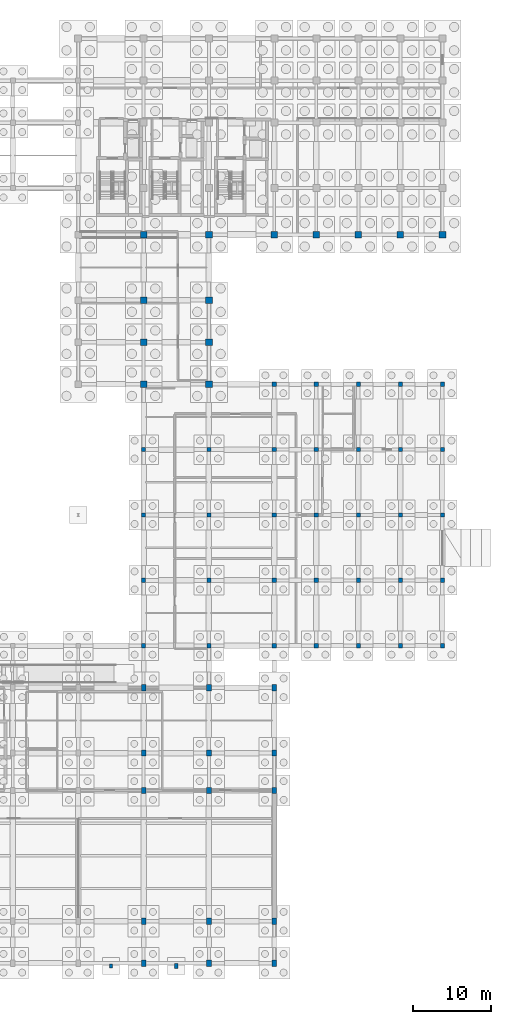
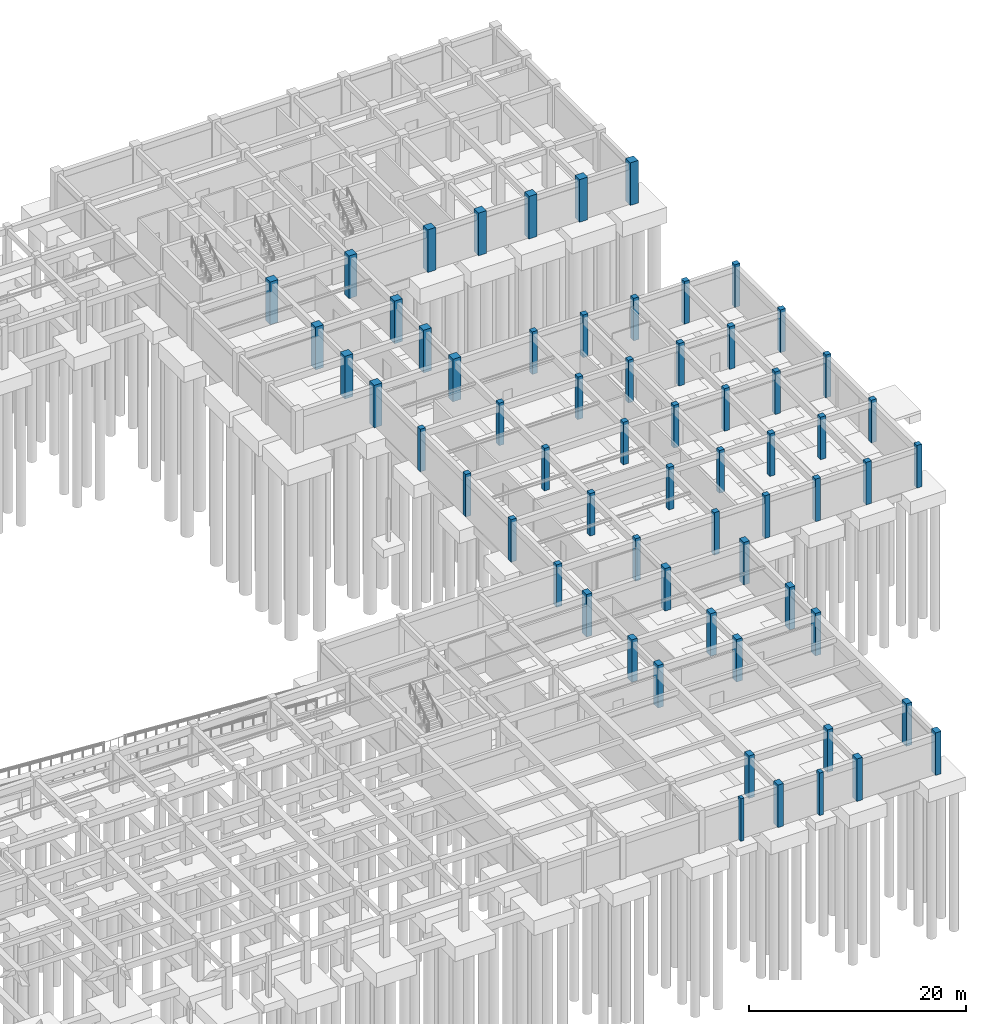
# One storey, part 24 of 49: 63 columns.
"""IFC4 building model written with IfcOpenShell, lengths in metres."""

from ifc_helpers import new_model, si_unit, direction, frame, origin, origin_2d, place, context, subcontext, project, spatial, rectangle, extrude, material, material_profile, profile_set, type_object, element, save


model = new_model("IFC4")

# Units and contexts
model_context = context("Model", 3, precision=1e-05, world=origin(), true_north=direction((0.0, 1.0)))
body_context = subcontext(model_context, "Body", "Model", "MODEL_VIEW")
ifc_project = project(units=[si_unit("LENGTHUNIT", "METRE"), si_unit("AREAUNIT", "SQUARE_METRE"), si_unit("VOLUMEUNIT", "CUBIC_METRE"), si_unit("PLANEANGLEUNIT", "RADIAN"), si_unit("MASSUNIT", "GRAM", prefix="KILO")], contexts=[model_context])

# Site, building, storey
site_placement = place(None, origin())
site = spatial("IfcSite", under=ifc_project, at=site_placement, CompositionType="ELEMENT")
building_placement = place(site_placement, origin())
building = spatial("IfcBuilding", under=site, at=building_placement, Name="Krzemoval Escarpment Law Courts", CompositionType="ELEMENT")
storey_placement = place(building_placement, frame((0.0, 0.0, -4.800048828125)))
storey = spatial("IfcBuildingStorey", under=building, at=storey_placement, Name="B1", CompositionType="ELEMENT", Elevation=-4.800048828125)

# Columns
ifc_material_1 = material(Name="Concrete C40/50", Category="concrete")
ifc_material_profile_1 = material_profile(ifc_material_1, rectangle(XDim=0.550048828125, YDim=0.550048828125, at=origin_2d()), Name="RC 550x550")
ifc_profile_set_1 = profile_set([ifc_material_profile_1], Name="Concrete C40/50")
column_type_1 = type_object("IfcColumnType", Name="COL-RC-550", PredefinedType="COLUMN", material=ifc_profile_set_1)
for number, where, z_axis, x_axis, name in (
    (1, (134.39990234375, 40.800048828125, 0.0), (0.0, 0.0, 1.0), (1.0, 0.0, 0.0), "Column FC-B1-0188"),
    (2, (134.39990234375, 49.199951171875, 0.0), (0.0, 0.0, 1.0), (1.0, 0.0, 0.0), "Column FC-B1-0189"),
    (3, (134.39990234375, 57.60009765625, 0.0), (0.0, 0.0, 1.0), (1.0, 0.0, 0.0), "Column FC-B1-0190"),
    (4, (134.39990234375, 66.0, 0.0), (0.0, 0.0, 1.0), (1.0, 0.0, 0.0), "Column FC-B1-0191"),
    (5, (142.800048828125, 40.800048828125, 0.0), (0.0, 0.0, 1.0), (1.0, 0.0, 0.0), "Column FC-B1-0205"),
    (6, (142.800048828125, 49.199951171875, 0.0), (0.0, 0.0, 1.0), (1.0, 0.0, 0.0), "Column FC-B1-0206"),
    (7, (142.800048828125, 57.60009765625, 0.0), (0.0, 0.0, 1.0), (1.0, 0.0, 0.0), "Column FC-B1-0207"),
    (8, (142.800048828125, 66.0, 0.0), (0.0, 0.0, 1.0), (1.0, 0.0, 0.0), "Column FC-B1-0208"),
    (9, (151.199951171875, 40.800048828125, 0.0), (0.0, 0.0, 1.0), (1.0, 0.0, 0.0), "Column FC-B1-0222"),
    (10, (151.199951171875, 49.199951171875, 0.0), (0.0, 0.0, 1.0), (1.0, 0.0, 0.0), "Column FC-B1-0223"),
    (11, (151.199951171875, 57.60009765625, 0.0), (0.0, 0.0, 1.0), (1.0, 0.0, 0.0), "Column FC-B1-0224"),
    (12, (151.199951171875, 66.0, 0.0), (0.0, 0.0, 1.0), (1.0, 0.0, 0.0), "Column FC-B1-0225"),
    (13, (151.199951171875, 74.39990234375, 0.0), (0.0, 0.0, 1.0), (1.0, 0.0, 0.0), "Column FC-B1-0226"),
    (14, (156.60009765625, 40.800048828125, 0.0), (0.0, 0.0, 1.0), (1.0, 0.0, 0.0), "Column FC-B1-0232"),
    (15, (156.60009765625, 49.199951171875, 0.0), (0.0, 0.0, 1.0), (1.0, 0.0, 0.0), "Column FC-B1-0233"),
    (16, (156.60009765625, 57.60009765625, 0.0), (0.0, 0.0, 1.0), (1.0, 0.0, 0.0), "Column FC-B1-0234"),
    (17, (156.60009765625, 66.0, 0.0), (0.0, 0.0, 1.0), (1.0, 0.0, 0.0), "Column FC-B1-0235"),
    (18, (156.60009765625, 74.39990234375, 0.0), (0.0, 0.0, 1.0), (1.0, 0.0, 0.0), "Column FC-B1-0236"),
    (19, (162.0, 40.800048828125, 0.0), (0.0, 0.0, 1.0), (1.0, 0.0, 0.0), "Column FC-B1-0242"),
    (20, (162.0, 49.199951171875, 0.0), (0.0, 0.0, 1.0), (1.0, 0.0, 0.0), "Column FC-B1-0243"),
    (21, (162.0, 57.60009765625, 0.0), (0.0, 0.0, 1.0), (1.0, 0.0, 0.0), "Column FC-B1-0244"),
    (22, (162.0, 66.0, 0.0), (0.0, 0.0, 1.0), (1.0, 0.0, 0.0), "Column FC-B1-0245"),
    (23, (162.0, 74.39990234375, 0.0), (0.0, 0.0, 1.0), (1.0, 0.0, 0.0), "Column FC-B1-0246"),
    (24, (167.39990234375, 40.800048828125, 0.0), (0.0, 0.0, 1.0), (1.0, 0.0, 0.0), "Column FC-B1-0252"),
    (25, (167.39990234375, 49.199951171875, 0.0), (0.0, 0.0, 1.0), (1.0, 0.0, 0.0), "Column FC-B1-0253"),
    (26, (167.39990234375, 57.60009765625, 0.0), (0.0, 0.0, 1.0), (1.0, 0.0, 0.0), "Column FC-B1-0254"),
    (27, (167.39990234375, 66.0, 0.0), (0.0, 0.0, 1.0), (1.0, 0.0, 0.0), "Column FC-B1-0255"),
    (28, (167.39990234375, 74.39990234375, 0.0), (0.0, 0.0, 1.0), (1.0, 0.0, 0.0), "Column FC-B1-0256"),
    (29, (172.800048828125, 40.800048828125, 0.0), (0.0, 0.0, 1.0), (1.0, 0.0, 0.0), "Column FC-B1-0262"),
    (30, (172.800048828125, 49.199951171875, 0.0), (0.0, 0.0, 1.0), (1.0, 0.0, 0.0), "Column FC-B1-0263"),
    (31, (172.800048828125, 57.60009765625, 0.0), (0.0, 0.0, 1.0), (1.0, 0.0, 0.0), "Column FC-B1-0264"),
    (32, (172.800048828125, 66.0, 0.0), (0.0, 0.0, 1.0), (1.0, 0.0, 0.0), "Column FC-B1-0265"),
    (33, (172.800048828125, 74.39990234375, 0.0), (0.0, 0.0, 1.0), (1.0, 0.0, 0.0), "Column FC-B1-0266"),
):
    element("IfcColumn", number, at=place(storey_placement, frame(where, z_axis=z_axis, x_axis=x_axis)), inside=storey, type_object=column_type_1, Name=name, PredefinedType="COLUMN", context=body_context, shape_type="SweptSolid", body=[
        extrude(rectangle(XDim=0.550048828125, YDim=0.550048828125, at=origin_2d()), origin(), (0.0, 0.0, 1.0), 4.800048828125),
    ])
ifc_material_2 = material(Name="Concrete C40/50", Category="concrete")
ifc_material_profile_2 = material_profile(ifc_material_2, rectangle(XDim=0.60009765625, YDim=0.800048828125, at=origin_2d()), Name="RC 600x800")
ifc_profile_set_2 = profile_set([ifc_material_profile_2], Name="Concrete C40/50")
column_type_2 = type_object("IfcColumnType", Name="COL-RC-600x800", PredefinedType="COLUMN", material=ifc_profile_set_2)
for number, where, z_axis, x_axis, name in (
    (34, (134.39990234375, 0.0, 0.0), (0.0, 0.0, 1.0), (1.0, 0.0, 0.0), "Column FC-B1-0183"),
    (35, (134.39990234375, 5.39990234375, 0.0), (0.0, 0.0, 1.0), (1.0, 0.0, 0.0), "Column FC-B1-0184"),
    (36, (134.39990234375, 22.199951171875, 0.0), (0.0, 0.0, 1.0), (1.0, 0.0, 0.0), "Column FC-B1-0185"),
    (37, (134.39990234375, 27.0, 0.0), (0.0, 0.0, 1.0), (1.0, 0.0, 0.0), "Column FC-B1-0186"),
    (38, (134.39990234375, 35.39990234375, 0.0), (0.0, 0.0, 1.0), (1.0, 0.0, 0.0), "Column FC-B1-0187"),
    (39, (142.800048828125, 0.0, 0.0), (0.0, 0.0, 1.0), (1.0, 0.0, 0.0), "Column FC-B1-0200"),
    (40, (142.800048828125, 5.39990234375, 0.0), (0.0, 0.0, 1.0), (1.0, 0.0, 0.0), "Column FC-B1-0201"),
    (41, (142.800048828125, 22.199951171875, 0.0), (0.0, 0.0, 1.0), (1.0, 0.0, 0.0), "Column FC-B1-0202"),
    (42, (142.800048828125, 27.0, 0.0), (0.0, 0.0, 1.0), (1.0, 0.0, 0.0), "Column FC-B1-0203"),
    (43, (142.800048828125, 35.39990234375, 0.0), (0.0, 0.0, 1.0), (1.0, 0.0, 0.0), "Column FC-B1-0204"),
    (44, (151.199951171875, 0.0, 0.0), (0.0, 0.0, 1.0), (1.0, 0.0, 0.0), "Column FC-B1-0217"),
    (45, (151.199951171875, 5.39990234375, 0.0), (0.0, 0.0, 1.0), (1.0, 0.0, 0.0), "Column FC-B1-0218"),
    (46, (151.199951171875, 22.199951171875, 0.0), (0.0, 0.0, 1.0), (1.0, 0.0, 0.0), "Column FC-B1-0219"),
    (47, (151.199951171875, 27.0, 0.0), (0.0, 0.0, 1.0), (1.0, 0.0, 0.0), "Column FC-B1-0220"),
    (48, (151.199951171875, 35.39990234375, 0.0), (0.0, 0.0, 1.0), (1.0, 0.0, 0.0), "Column FC-B1-0221"),
):
    element("IfcColumn", number, at=place(storey_placement, frame(where, z_axis=z_axis, x_axis=x_axis)), inside=storey, type_object=column_type_2, Name=name, PredefinedType="COLUMN", context=body_context, shape_type="SweptSolid", body=[
        extrude(rectangle(XDim=0.60009765625, YDim=0.800048828125, at=origin_2d()), origin(), (0.0, 0.0, 1.0), 4.800048828125),
    ])
ifc_material_3 = material(Name="Concrete C50/60", Category="concrete")
ifc_material_profile_3 = material_profile(ifc_material_3, rectangle(XDim=0.85009765625, YDim=0.85009765625, at=origin_2d()), Name="RC 850x850")
ifc_profile_set_3 = profile_set([ifc_material_profile_3], Name="Concrete C50/60")
column_type_3 = type_object("IfcColumnType", Name="COL-RC-850", PredefinedType="COLUMN", material=ifc_profile_set_3)
for number, where, z_axis, x_axis, name in (
    (49, (134.39990234375, 74.39990234375, 0.0), (0.0, 0.0, 1.0), (1.0, 0.0, 0.0), "Column FC-B1-0192"),
    (50, (134.39990234375, 79.800048828125, 0.0), (0.0, 0.0, 1.0), (1.0, 0.0, 0.0), "Column FC-B1-0193"),
    (51, (134.39990234375, 85.199951171875, 0.0), (0.0, 0.0, 1.0), (1.0, 0.0, 0.0), "Column FC-B1-0194"),
    (52, (134.39990234375, 93.60009765625, 0.0), (0.0, 0.0, 1.0), (1.0, 0.0, 0.0), "Column FC-B1-0195"),
    (53, (142.800048828125, 74.39990234375, 0.0), (0.0, 0.0, 1.0), (1.0, 0.0, 0.0), "Column FC-B1-0209"),
    (54, (142.800048828125, 79.800048828125, 0.0), (0.0, 0.0, 1.0), (1.0, 0.0, 0.0), "Column FC-B1-0210"),
    (55, (142.800048828125, 85.199951171875, 0.0), (0.0, 0.0, 1.0), (1.0, 0.0, 0.0), "Column FC-B1-0211"),
    (56, (142.800048828125, 93.60009765625, 0.0), (0.0, 0.0, 1.0), (1.0, 0.0, 0.0), "Column FC-B1-0212"),
    (57, (151.199951171875, 93.60009765625, 0.0), (0.0, 0.0, 1.0), (1.0, 0.0, 0.0), "Column FC-B1-0227"),
    (58, (156.60009765625, 93.60009765625, 0.0), (0.0, 0.0, 1.0), (1.0, 0.0, 0.0), "Column FC-B1-0237"),
    (59, (162.0, 93.60009765625, 0.0), (0.0, 0.0, 1.0), (1.0, 0.0, 0.0), "Column FC-B1-0247"),
    (60, (167.39990234375, 93.60009765625, 0.0), (0.0, 0.0, 1.0), (1.0, 0.0, 0.0), "Column FC-B1-0257"),
    (61, (172.800048828125, 93.60009765625, 0.0), (0.0, 0.0, 1.0), (1.0, 0.0, 0.0), "Column FC-B1-0267"),
):
    element("IfcColumn", number, at=place(storey_placement, frame(where, z_axis=z_axis, x_axis=x_axis)), inside=storey, type_object=column_type_3, Name=name, PredefinedType="COLUMN", context=body_context, shape_type="SweptSolid", body=[
        extrude(rectangle(XDim=0.85009765625, YDim=0.85009765625, at=origin_2d()), origin(), (0.0, 0.0, 1.0), 4.800048828125),
    ])
ifc_material_4 = material(Name="Precast concrete C40/50", Category="concrete")
ifc_material_profile_4 = material_profile(ifc_material_4, rectangle(XDim=0.35009765625, YDim=0.5, at=origin_2d()), Name="PIL 350x500")
ifc_profile_set_4 = profile_set([ifc_material_profile_4], Name="Precast concrete C40/50")
column_type_4 = type_object("IfcColumnType", Name="PIL-PC-350x500", PredefinedType="PILASTER", material=ifc_profile_set_4)
column_1_placement = place(storey_placement, frame((130.199951171875, -0.35009765625, 0.0), z_axis=(0.0, 0.0, 1.0), x_axis=(1.0, 0.0, 0.0)))
element("IfcColumn", 62, at=column_1_placement, inside=storey, type_object=column_type_4, Name="Facade Pilaster PIL-B1-051", PredefinedType="PILASTER", context=body_context, shape_type="SweptSolid", body=[
    extrude(rectangle(XDim=0.35009765625, YDim=0.5, at=origin_2d()), origin(), (0.0, 0.0, 1.0), 4.800048828125),
])
ifc_material_5 = material(Name="Precast concrete C40/50", Category="concrete")
ifc_material_profile_5 = material_profile(ifc_material_5, rectangle(XDim=0.39990234375, YDim=0.60009765625, at=origin_2d()), Name="PIL 400x600")
ifc_profile_set_5 = profile_set([ifc_material_profile_5], Name="Precast concrete C40/50")
column_type_5 = type_object("IfcColumnType", Name="PIL-PC-400x600", PredefinedType="PILASTER", material=ifc_profile_set_5)
column_2_placement = place(storey_placement, frame((138.60009765625, -0.35009765625, 0.0), z_axis=(0.0, 0.0, 1.0), x_axis=(1.0, 0.0, 0.0)))
element("IfcColumn", 63, at=column_2_placement, inside=storey, type_object=column_type_5, Name="Facade Pilaster PIL-B1-056", PredefinedType="PILASTER", context=body_context, shape_type="SweptSolid", body=[
    extrude(rectangle(XDim=0.39990234375, YDim=0.60009765625, at=origin_2d()), origin(), (0.0, 0.0, 1.0), 4.800048828125),
])

save(model, "model.ifc")
